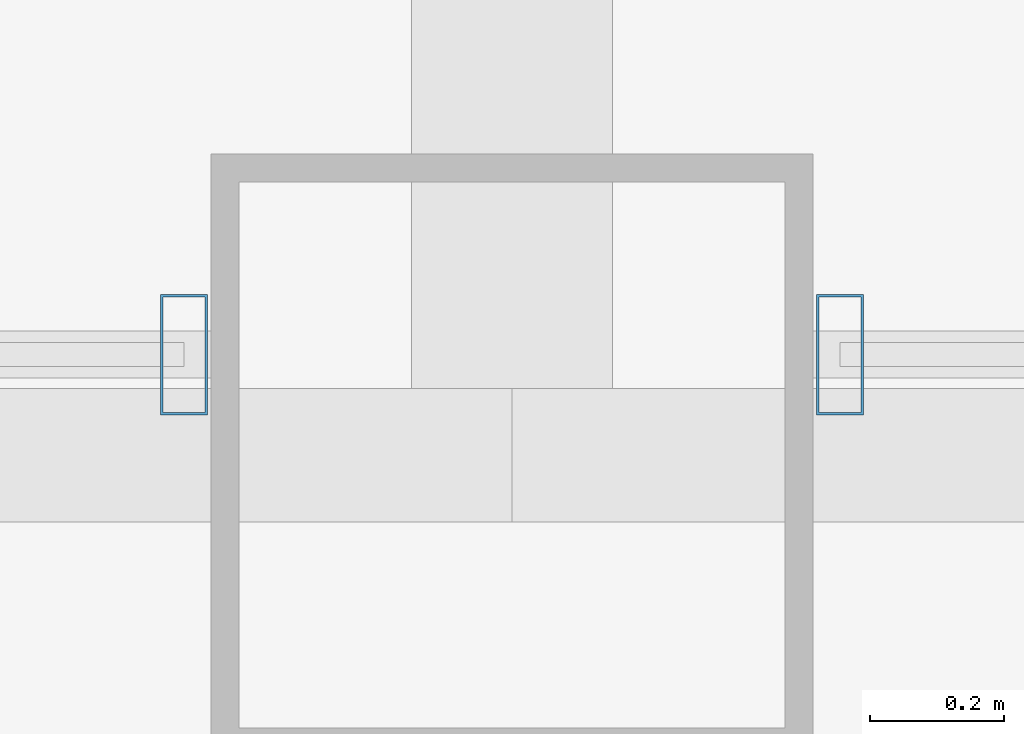
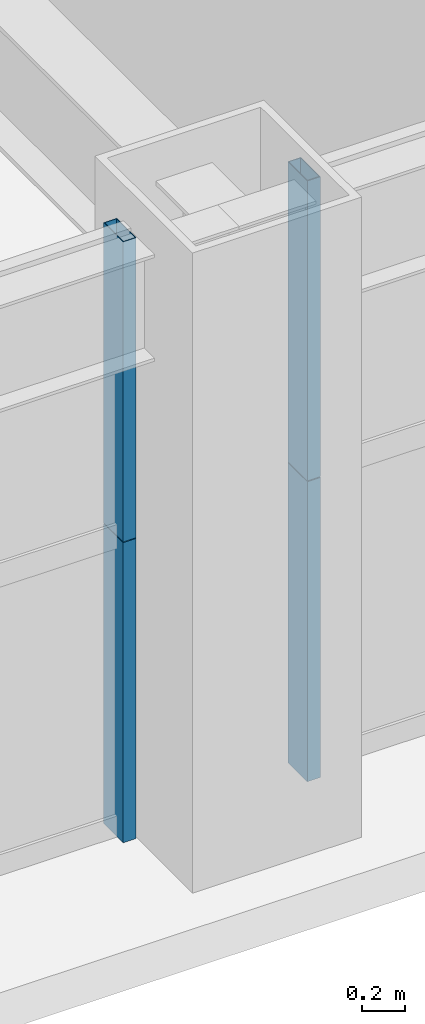
# One storey, part 9 of 38: 4 members, 2 elements without a shape of their own.
"""IFC4 building model written with IfcOpenShell, lengths in metres."""

from ifc_helpers import new_model, si_unit, direction, frame, origin, origin_2d, place, context, subcontext, project, spatial, hollow_rectangle, extrude, source, transform, mapped, material, layer, layer_set, material_profile, profile_set, type_object, element, aggregate, save


model = new_model("IFC4")

# Units and contexts
model_context = context("Model", 3, precision=1e-05, world=origin(), true_north=direction((0.0, 1.0)))
body_context = subcontext(model_context, "Body", "Model", "MODEL_VIEW")
ifc_project = project(units=[si_unit("LENGTHUNIT", "METRE"), si_unit("AREAUNIT", "SQUARE_METRE"), si_unit("VOLUMEUNIT", "CUBIC_METRE"), si_unit("PLANEANGLEUNIT", "RADIAN"), si_unit("MASSUNIT", "GRAM", prefix="KILO"), si_unit("THERMODYNAMICTEMPERATUREUNIT", "KELVIN"), si_unit("POWERUNIT", "WATT")], contexts=[model_context])

# Site, building, storey
site_placement = place(None, origin())
site = spatial("IfcSite", under=ifc_project, at=site_placement, CompositionType="ELEMENT")
building_placement = place(site_placement, origin())
building = spatial("IfcBuilding", under=site, at=building_placement, Name="Yuzanri Waterfront Tower", CompositionType="ELEMENT")
storey_placement = place(building_placement, frame((0.0, 0.0, 90.199951171875)))
storey = spatial("IfcBuildingStorey", under=building, at=storey_placement, Name="L23", CompositionType="ELEMENT", Elevation=90.199951171875)

# Curtain wall, members
ifc_material_1 = material(Name="Anodized Architectural Bronze", Category="metal")
ifc_layer = layer(ifc_material_1, 0.159912109375)
ifc_layer_set = layer_set([ifc_layer], Name="Anodized Architectural Bronze")
curtain_wall_type = type_object("IfcCurtainWallType", Name="Anodized Bronze Hotel Upper-Tier Solar-Control Unitized Curtain Wall 7800", PredefinedType="NOTDEFINED", material=ifc_layer_set)
curtain_wall_1_placement = place(storey_placement, origin())
curtain_wall_1 = element("IfcCurtainWall", 1, at=curtain_wall_1_placement, inside=storey, type_object=curtain_wall_type, Name="L23 Curtain Wall CW-L23-SL", PredefinedType="NOTDEFINED")
ifc_material_2 = material(Name="Anodized Architectural Bronze", Category="metal")
ifc_material_profile = material_profile(ifc_material_2, hollow_rectangle(XDim=0.070068359375, YDim=0.179931640625, WallThickness=0.00390625, at=origin_2d()), Name="CWM 70x180")
ifc_profile_set = profile_set([ifc_material_profile], Name="Anodized Architectural Bronze")
member_type = type_object("IfcMemberType", Name="Anodized Bronze Standard Curtain-Wall Mullion 70x180", PredefinedType="MULLION", material=ifc_profile_set)
shared_shape = source(origin(), body_context, "Body", "SweptSolid", [
    extrude(hollow_rectangle(XDim=0.070068359375, YDim=0.179931640625, WallThickness=0.00390625, at=origin_2d()), origin(), (0.0, 0.0, 1.0), 1.68798828125),
])
member_1_placement = place(storey_placement, frame((36.510009765625, 2.35009765625, 0.0), z_axis=(0.0, 0.0, 1.0), x_axis=(1.0, 0.0, 0.0)))
member_1 = element("IfcMember", 2, at=member_1_placement, type_object=member_type, Name="CW-L23-SL Lower Mullion 02", PredefinedType="MULLION", context=body_context, shape_type="MappedRepresentation", body=[
    mapped(shared_shape, transform((0.0, 0.0, 0.0), scale=1.0)),
])
member_2_placement = place(storey_placement, frame((36.510009765625, 2.35009765625, 1.692138671875), z_axis=(0.0, 0.0, 1.0), x_axis=(1.0, 0.0, 0.0)))
member_2 = element("IfcMember", 3, at=member_2_placement, type_object=member_type, Name="CW-L23-SL Upper Mullion 02", PredefinedType="MULLION", context=body_context, shape_type="MappedRepresentation", body=[
    mapped(shared_shape, transform((0.0, 0.0, 0.0), scale=1.0)),
])
aggregate(curtain_wall_1, [member_1, member_2])

curtain_wall_2_placement = place(storey_placement, origin())
curtain_wall_2 = element("IfcCurtainWall", 4, at=curtain_wall_2_placement, inside=storey, type_object=curtain_wall_type, Name="L23 Curtain Wall CW-L23-SR", PredefinedType="NOTDEFINED")
member_3_placement = place(storey_placement, frame((37.489990234375, 2.35009765625, 0.0), z_axis=(0.0, 0.0, 1.0), x_axis=(1.0, 0.0, 0.0)))
member_3 = element("IfcMember", 5, at=member_3_placement, type_object=member_type, Name="CW-L23-SR Lower Mullion 00", PredefinedType="MULLION", context=body_context, shape_type="MappedRepresentation", body=[
    mapped(shared_shape, transform((0.0, 0.0, 0.0), scale=1.0)),
])
member_4_placement = place(storey_placement, frame((37.489990234375, 2.35009765625, 1.692138671875), z_axis=(0.0, 0.0, 1.0), x_axis=(1.0, 0.0, 0.0)))
member_4 = element("IfcMember", 6, at=member_4_placement, type_object=member_type, Name="CW-L23-SR Upper Mullion 00", PredefinedType="MULLION", context=body_context, shape_type="MappedRepresentation", body=[
    mapped(shared_shape, transform((0.0, 0.0, 0.0), scale=1.0)),
])
aggregate(curtain_wall_2, [member_3, member_4])

save(model, "model.ifc")
